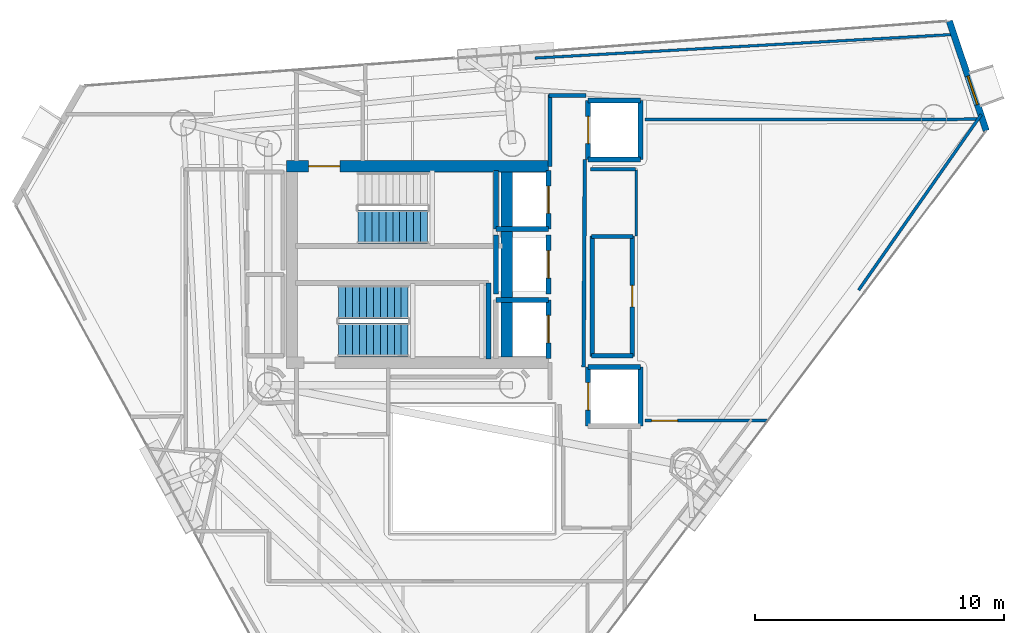
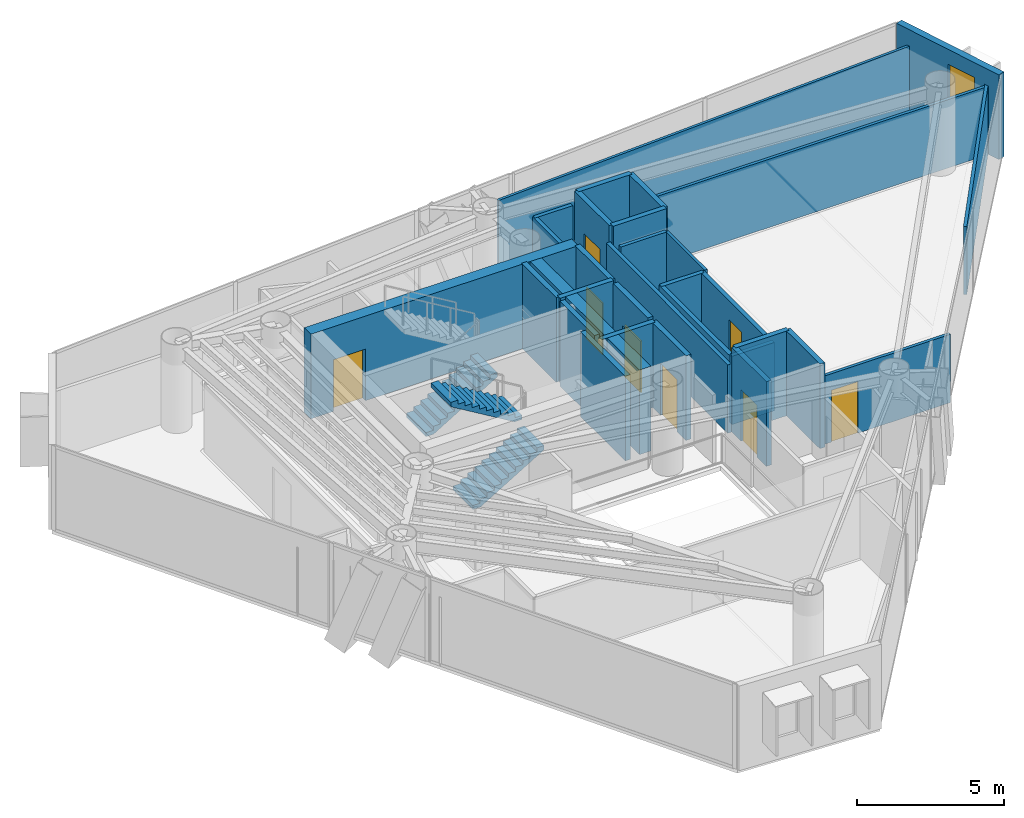
# One storey, part 15 of 19: 31 walls, 8 doors, 3 stair flights, 1 window, 9 openings, 2 elements without a shape of their own.
"""IFC4 building model written with IfcOpenShell, lengths in metres."""

from ifc_helpers import new_model, si_unit, direction, frame, frame_2d, origin, place, context, subcontext, project, spatial, polyline, rectangle, outline, extrude, material, layer, layer_set, type_object, element, fill, aggregate, save


model = new_model("IFC4")

# Units and contexts
model_context = context("Model", 3, precision=1e-05, world=origin(), true_north=direction((0.0, 1.0)))
body_context = subcontext(model_context, "Body", "Model", "MODEL_VIEW")
ifc_project = project(units=[si_unit("LENGTHUNIT", "METRE"), si_unit("AREAUNIT", "SQUARE_METRE"), si_unit("VOLUMEUNIT", "CUBIC_METRE"), si_unit("PLANEANGLEUNIT", "RADIAN"), si_unit("MASSUNIT", "GRAM", prefix="KILO")], contexts=[model_context])

# Site, building, storey
site_placement = place(None, origin())
site = spatial("IfcSite", under=ifc_project, at=site_placement, CompositionType="ELEMENT")
building_placement = place(site_placement, origin())
building = spatial("IfcBuilding", under=site, at=building_placement, Name="Qianvela Tower", CompositionType="ELEMENT")
storey_placement = place(building_placement, frame((0.0, 0.0, 268.60009765625)))
storey = spatial("IfcBuildingStorey", under=building, at=storey_placement, Name="L69", CompositionType="ELEMENT", Elevation=268.60009765625)

# Wall, opening, window
ifc_material_1 = material(Name="Terracotta Cladding on Concrete C40", Category="masonry")
ifc_layer_1 = layer(ifc_material_1, 0.260009765625)
ifc_layer_set_1 = layer_set([ifc_layer_1], Name="Terracotta Cladding on Concrete C40")
wall_type_1 = type_object("IfcWallType", Name="TERRACOTTA-WALL-260", PredefinedType="SOLIDWALL", material=ifc_layer_set_1)
wall_1_placement = place(storey_placement, frame((57.434814453125, 34.070068359375, 0.0), z_axis=(0.0, 0.0, 1.0), x_axis=(-0.319235252436, 0.947675500159, 0.0)))
wall_1 = element("IfcWall", 1, at=wall_1_placement, inside=storey, type_object=wall_type_1, Name="L69 Terracotta Chamfer Facet Wall 1", PredefinedType="SOLIDWALL", context=body_context, shape_type="SweptSolid", body=[
    extrude(rectangle(XDim=4.64892578125, YDim=0.260009765625, at=frame_2d((2.324462890625, 0.0))), origin(), (0.0, 0.0, 1.0), 3.52001953125),
])
opening_1_placement = place(wall_1_placement, frame((1.11474609375, 0.0, 0.89990234375)))
opening_1 = element("IfcOpeningElement", 2, at=opening_1_placement, cuts=wall_1, Name="Opening W-03", PredefinedType="OPENING", context=body_context, shape_type="SweptSolid", body=[
    extrude(rectangle(XDim=1.199951171875, YDim=2.0, at=frame_2d((0.60009765625, 1.0))), frame((0.0, 0.139892578125, 0.0), z_axis=(0.0, -1.0, 0.0), x_axis=(1.0, 0.0, 0.0)), (0.0, 0.0, 1.0), 0.280029296875),
])
ifc_material_2 = material(Name="Thermally Broken Aluminium and Low-E Glass", Category="aluminium")
window_type = type_object("IfcWindowType", Name="WIN-TC-1200x2000", PartitioningType="SINGLE_PANEL", PredefinedType="WINDOW", material=ifc_material_2)
window_placement = place(opening_1_placement, origin())
window = element("IfcWindow", 3, at=window_placement, inside=storey, type_object=window_type, Name="L69 Chamfer Facet Window 1.1", OverallHeight=2.0, OverallWidth=1.199951171875, PartitioningType="SINGLE_PANEL", PredefinedType="WINDOW", context=body_context, shape_type="SweptSolid", body=[
    extrude(rectangle(XDim=1.199951171875, YDim=2.0, at=frame_2d((0.60009765625, 1.0))), frame((0.0, 0.030029296875, 0.0), z_axis=(0.0, -1.0, 0.0), x_axis=(1.0, 0.0, 0.0)), (0.0, 0.0, 1.0), 0.06005859375),
])
fill(opening_1, window)

# Wall, opening, door
ifc_material_3 = material(Name="Concrete C50", Category="concrete")
ifc_layer_2 = layer(ifc_material_3, 0.449951171875)
ifc_layer_set_2 = layer_set([ifc_layer_2], Name="Concrete C50")
wall_type_2 = type_object("IfcWallType", Name="WT-CORE-450", PredefinedType="SHEAR", material=ifc_layer_set_2)
wall_2_placement = place(storey_placement, frame((29.330078125, 32.64501953125, 0.0), z_axis=(0.0, 0.0, 1.0), x_axis=(1.0, 0.0, 0.0)))
wall_2 = element("IfcWall", 4, at=wall_2_placement, inside=storey, type_object=wall_type_2, Name="L69 North Core Shear Wall", PredefinedType="SHEAR", context=body_context, shape_type="SweptSolid", body=[
    extrude(rectangle(XDim=10.52001953125, YDim=0.449951171875, at=frame_2d((5.260009765625, 0.0))), origin(), (0.0, 0.0, 1.0), 3.52001953125),
])
opening_2_placement = place(wall_2_placement, frame((0.89501953125, 0.0, 0.0)))
opening_2 = element("IfcOpeningElement", 5, at=opening_2_placement, cuts=wall_2, Name="Opening D-ST1", PredefinedType="OPENING", context=body_context, shape_type="SweptSolid", body=[
    extrude(rectangle(XDim=1.25, YDim=2.14990234375, at=frame_2d((0.625, 1.074951171875))), frame((0.0, 0.23486328125, 0.0), z_axis=(0.0, -1.0, 0.0), x_axis=(1.0, 0.0, 0.0)), (0.0, 0.0, 1.0), 0.469970703125),
])
ifc_material_4 = material(Name="Galvanised Fire Steel Q355B", Category="steel")
door_type_1 = type_object("IfcDoorType", Name="DT-STAIR-FD90", OperationType="NOTDEFINED", PredefinedType="DOOR", material=ifc_material_4)
door_1_placement = place(opening_2_placement, origin())
door_1 = element("IfcDoor", 6, at=door_1_placement, inside=storey, type_object=door_type_1, Name="L69 Stair ST-1 Exit Door", OperationType="SINGLE_SWING_RIGHT", OverallHeight=2.14990234375, OverallWidth=1.25, PredefinedType="DOOR", context=body_context, shape_type="SweptSolid", body=[
    extrude(rectangle(XDim=1.25, YDim=2.14990234375, at=frame_2d((0.625, 1.074951171875))), frame((0.0, 0.02490234375, 0.0), z_axis=(0.0, -1.0, 0.0), x_axis=(1.0, 0.0, 0.0)), (0.0, 0.0, 1.0), 0.050048828125),
])
fill(opening_2, door_1)

# Walls
wall_3_placement = place(storey_placement, frame((38.179931640625, 24.97998046875, 0.0), z_axis=(0.0, 0.0, 1.0), x_axis=(0.0, 1.0, 0.0)))
element("IfcWall", 7, at=wall_3_placement, inside=storey, type_object=wall_type_2, Name="L69 East Spine Core Shear Wall", PredefinedType="SHEAR", context=body_context, shape_type="SweptSolid", body=[
    extrude(rectangle(XDim=7.43994140625, YDim=0.449951171875, at=frame_2d((3.719970703125, 0.0))), origin(), (0.0, 0.0, 1.0), 3.52001953125),
])
ifc_material_5 = material(Name="Fire-Rated Acoustic Gypsum Board")
ifc_layer_3 = layer(ifc_material_5, 0.14990234375)
ifc_layer_set_3 = layer_set([ifc_layer_3], Name="Fire-Rated Acoustic Gypsum Board")
wall_type_3 = type_object("IfcWallType", Name="WT-CORR-150", PredefinedType="PARTITIONING", material=ifc_layer_set_3)
wall_4_placement = place(storey_placement, frame((39.910888671875, 32.639892578125, 0.0), z_axis=(0.0, 0.0, 1.0), x_axis=(0.0, 1.0, 0.0)))
element("IfcWall", 8, at=wall_4_placement, inside=storey, type_object=wall_type_3, Name="L69 Partition 12", PredefinedType="PARTITIONING", context=body_context, shape_type="SweptSolid", body=[
    extrude(rectangle(XDim=2.880126953125, YDim=0.14990234375, at=frame_2d((1.43994140625, 0.0))), origin(), (0.0, 0.0, 1.0), 2.83984375),
])
wall_5_placement = place(storey_placement, frame((39.8798828125, 35.489013671875, 0.0), z_axis=(0.0, 0.0, 1.0), x_axis=(1.0, 0.0, 0.0)))
element("IfcWall", 9, at=wall_5_placement, inside=storey, type_object=wall_type_3, Name="L69 Partition 13", PredefinedType="PARTITIONING", context=body_context, shape_type="SweptSolid", body=[
    extrude(rectangle(XDim=1.480224609375, YDim=0.14990234375, at=frame_2d((0.740234375, 0.0))), origin(), (0.0, 0.0, 1.0), 2.83984375),
])
wall_6_placement = place(storey_placement, frame((41.3134765625, 32.919921875, 0.0), z_axis=(0.0, 0.0, 1.0), x_axis=(-0.005942518022, -0.999982343084, 0.0)))
element("IfcWall", 10, at=wall_6_placement, inside=storey, type_object=wall_type_3, Name="L69 Partition 14 seg 2", PredefinedType="PARTITIONING", context=body_context, shape_type="SweptSolid", body=[
    extrude(rectangle(XDim=8.340087890625, YDim=0.14990234375, at=frame_2d((4.169921875, 0.0))), origin(), (0.0, 0.0, 1.0), 2.83984375),
])
ifc_material_6 = material(Name="Lightweight Gypsum Room Partition")
ifc_layer_4 = layer(ifc_material_6, 0.10498046875)
ifc_layer_set_4 = layer_set([ifc_layer_4], Name="Lightweight Gypsum Room Partition")
wall_type_4 = type_object("IfcWallType", Name="WT-PART-105", PredefinedType="PARTITIONING", material=ifc_layer_set_4)
wall_7_placement = place(storey_placement, frame((39.3134765625, 36.988037109375, 0.0), z_axis=(0.0, 0.0, 1.0), x_axis=(0.998410832936, 0.056354313735, 0.0)))
element("IfcWall", 11, at=wall_7_placement, inside=storey, type_object=wall_type_4, Name="L69 Partition 91 seg 2", PredefinedType="PARTITIONING", context=body_context, shape_type="SweptSolid", body=[
    extrude(rectangle(XDim=16.865478515625, YDim=0.10498046875, at=frame_2d((8.4326171875, 0.0))), origin(), (0.0, 0.0, 1.0), 2.83984375),
])
wall_8_placement = place(storey_placement, frame((43.381103515625, 29.85009765625, 0.0), z_axis=(0.0, 0.0, 1.0), x_axis=(0.0, 1.0, 0.0)))
element("IfcWall", 12, at=wall_8_placement, inside=storey, type_object=wall_type_4, Name="L69 Partition 112 seg 2", PredefinedType="PARTITIONING", context=body_context, shape_type="SweptSolid", body=[
    extrude(rectangle(XDim=2.64990234375, YDim=0.10498046875, at=frame_2d((1.324951171875, 0.0))), origin(), (0.0, 0.0, 1.0), 2.83984375),
])

# Wall, opening, door
ifc_material_7 = material(Name="Insulated Gypsum Stud Partition")
ifc_layer_5 = layer(ifc_material_7, 0.1201171875)
ifc_layer_set_5 = layer_set([ifc_layer_5], Name="Insulated Gypsum Stud Partition")
wall_type_5 = type_object("IfcWallType", Name="WT-PART-120", PredefinedType="PARTITIONING", material=ifc_layer_set_5)
wall_9_placement = place(storey_placement, frame((43.719970703125, 22.427001953125, 0.0), z_axis=(0.0, 0.0, 1.0), x_axis=(1.0, 0.0, 0.0)))
wall_9 = element("IfcWall", 13, at=wall_9_placement, inside=storey, type_object=wall_type_5, Name="L69 Partition 78", PredefinedType="PARTITIONING", context=body_context, shape_type="SweptSolid", body=[
    extrude(rectangle(XDim=4.958984375, YDim=0.1201171875, at=frame_2d((2.4794921875, 0.0))), origin(), (0.0, 0.0, 1.0), 2.83984375),
])
opening_3_placement = place(wall_9_placement, frame((0.2744140625, 0.0, 0.0)))
opening_3 = element("IfcOpeningElement", 14, at=opening_3_placement, cuts=wall_9, Name="Opening D-PL1", PredefinedType="OPENING", context=body_context, shape_type="SweptSolid", body=[
    extrude(rectangle(XDim=1.050048828125, YDim=2.14990234375, at=frame_2d((0.52490234375, 1.074951171875))), frame((0.0, 0.070068359375, 0.0), z_axis=(0.0, -1.0, 0.0), x_axis=(1.0, 0.0, 0.0)), (0.0, 0.0, 1.0), 0.14013671875),
])
ifc_material_8 = material(Name="Insulated Steel Fire Door Q355B", Category="steel")
door_type_2 = type_object("IfcDoorType", Name="DT-PLANT-FD90", OperationType="NOTDEFINED", PredefinedType="DOOR", material=ifc_material_8)
door_2_placement = place(opening_3_placement, origin())
door_2 = element("IfcDoor", 15, at=door_2_placement, inside=storey, type_object=door_type_2, Name="L69 Door Media Practice Cinema L69-04 to Maker Craft Workshop L69-02", OperationType="SINGLE_SWING_RIGHT", OverallHeight=2.14990234375, OverallWidth=1.050048828125, PredefinedType="DOOR", context=body_context, shape_type="SweptSolid", body=[
    extrude(rectangle(XDim=1.050048828125, YDim=2.14990234375, at=frame_2d((0.52490234375, 1.074951171875))), frame((0.0, 0.02490234375, 0.0), z_axis=(0.0, -1.0, 0.0), x_axis=(1.0, 0.0, 0.0)), (0.0, 0.0, 1.0), 0.050048828125),
])
fill(opening_3, door_2)

# Walls
wall_10_placement = place(storey_placement, frame((57.299072265625, 34.532470703125, 0.0), z_axis=(0.0, 0.0, 1.0), x_axis=(-0.999998965603, -0.001438330048, 0.0)))
element("IfcWall", 16, at=wall_10_placement, inside=storey, type_object=wall_type_5, Name="L69 Partition 93", PredefinedType="PARTITIONING", context=body_context, shape_type="SweptSolid", body=[
    extrude(rectangle(XDim=13.5791015625, YDim=0.1201171875, at=frame_2d((6.78955078125, 0.0))), origin(), (0.0, 0.0, 1.0), 2.83984375),
])
wall_11_placement = place(storey_placement, frame((57.233642578125, 34.718505859375, 0.0), z_axis=(0.0, 0.0, 1.0), x_axis=(-0.572627410691, -0.819815740594, 0.0)))
element("IfcWall", 17, at=wall_11_placement, inside=storey, type_object=wall_type_5, Name="L69 Partition 117 seg 1", PredefinedType="PARTITIONING", context=body_context, shape_type="SweptSolid", body=[
    extrude(rectangle(XDim=8.5986328125, YDim=0.1201171875, at=frame_2d((4.29931640625, 0.0))), origin(), (0.0, 0.0, 1.0), 2.83984375),
])
ifc_material_9 = material(Name="Sanitary Service Chase Partition")
ifc_layer_6 = layer(ifc_material_9, 0.1650390625)
ifc_layer_set_6 = layer_set([ifc_layer_6], Name="Sanitary Service Chase Partition")
wall_type_6 = type_object("IfcWallType", Name="WT-PLUMB-165", PredefinedType="PLUMBINGWALL", material=ifc_layer_set_6)
wall_12_placement = place(storey_placement, frame((43.25, 25.031005859375, 0.0), z_axis=(0.0, 0.0, 1.0), x_axis=(-1.0, 0.0, 0.0)))
element("IfcWall", 18, at=wall_12_placement, inside=storey, type_object=wall_type_6, Name="L69 Partition 19", PredefinedType="PLUMBINGWALL", context=body_context, shape_type="SweptSolid", body=[
    extrude(rectangle(XDim=1.669921875, YDim=0.1650390625, at=frame_2d((0.8349609375, 0.0))), origin(), (0.0, 0.0, 1.0), 2.83984375),
])
wall_13_placement = place(storey_placement, frame((41.611083984375, 25.0, 0.0), z_axis=(0.0, 0.0, 1.0), x_axis=(0.0, 1.0, 0.0)))
element("IfcWall", 19, at=wall_13_placement, inside=storey, type_object=wall_type_6, Name="L69 Partition 20", PredefinedType="PLUMBINGWALL", context=body_context, shape_type="SweptSolid", body=[
    extrude(rectangle(XDim=4.85009765625, YDim=0.1650390625, at=frame_2d((2.425048828125, 0.0))), origin(), (0.0, 0.0, 1.0), 2.83984375),
])
wall_14_placement = place(storey_placement, frame((41.580078125, 29.819091796875, 0.0), z_axis=(0.0, 0.0, 1.0), x_axis=(1.0, 0.0, 0.0)))
element("IfcWall", 20, at=wall_14_placement, inside=storey, type_object=wall_type_6, Name="L69 Partition 21", PredefinedType="PLUMBINGWALL", context=body_context, shape_type="SweptSolid", body=[
    extrude(rectangle(XDim=1.669921875, YDim=0.1650390625, at=frame_2d((0.8349609375, 0.0))), origin(), (0.0, 0.0, 1.0), 2.83984375),
])

# Wall, opening, door
wall_15_placement = place(storey_placement, frame((43.218994140625, 29.85009765625, 0.0), z_axis=(0.0, 0.0, 1.0), x_axis=(0.0, -1.0, 0.0)))
wall_15 = element("IfcWall", 21, at=wall_15_placement, inside=storey, type_object=wall_type_6, Name="L69 Partition 22", PredefinedType="PLUMBINGWALL", context=body_context, shape_type="SweptSolid", body=[
    extrude(rectangle(XDim=4.85009765625, YDim=0.1650390625, at=frame_2d((2.425048828125, 0.0))), origin(), (0.0, 0.0, 1.0), 2.83984375),
])
opening_4_placement = place(wall_15_placement, frame((1.9951171875, 0.0, 0.0)))
opening_4 = element("IfcOpeningElement", 22, at=opening_4_placement, cuts=wall_15, Name="Opening D-WC1", PredefinedType="OPENING", context=body_context, shape_type="SweptSolid", body=[
    extrude(rectangle(XDim=0.860107421875, YDim=2.050048828125, at=frame_2d((0.43017578125, 1.02490234375))), frame((0.0, 0.092529296875, 0.0), z_axis=(0.0, -1.0, 0.0), x_axis=(1.0, 0.0, 0.0)), (0.0, 0.0, 1.0), 0.18505859375),
])
ifc_material_10 = material(Name="Moisture-Sealed Acoustic Timber Door", Category="wood")
door_type_3 = type_object("IfcDoorType", Name="DT-WC-860", OperationType="NOTDEFINED", PredefinedType="DOOR", material=ifc_material_10)
door_3_placement = place(opening_4_placement, origin())
door_3 = element("IfcDoor", 23, at=door_3_placement, inside=storey, type_object=door_type_3, Name="L69 Door L69 Accessible WC to Media Practice Cinema L69-04", OperationType="SINGLE_SWING_LEFT", OverallHeight=2.050048828125, OverallWidth=0.860107421875, PredefinedType="DOOR", context=body_context, shape_type="SweptSolid", body=[
    extrude(rectangle(XDim=0.860107421875, YDim=2.050048828125, at=frame_2d((0.43017578125, 1.02490234375))), frame((0.0, 0.02490234375, 0.0), z_axis=(0.0, -1.0, 0.0), x_axis=(1.0, 0.0, 0.0)), (0.0, 0.0, 1.0), 0.050048828125),
])
fill(opening_4, door_3)

# Walls
ifc_material_11 = material(Name="Acoustic Double Gypsum Stud Partition")
ifc_layer_7 = layer(ifc_material_11, 0.139892578125)
ifc_layer_set_7 = layer_set([ifc_layer_7], Name="Acoustic Double Gypsum Stud Partition")
wall_type_7 = type_object("IfcWallType", Name="WT-ROOM-140", PredefinedType="PARTITIONING", material=ifc_layer_set_7)
wall_16_placement = place(storey_placement, frame((43.35009765625, 32.531005859375, 0.0), z_axis=(0.0, 0.0, 1.0), x_axis=(-1.0, 0.0, 0.0)))
element("IfcWall", 24, at=wall_16_placement, inside=storey, type_object=wall_type_7, Name="L69 Partition 113", PredefinedType="PARTITIONING", context=body_context, shape_type="SweptSolid", body=[
    extrude(rectangle(XDim=1.80810546875, YDim=0.139892578125, at=frame_2d((0.904052734375, 0.0))), origin(), (0.0, 0.0, 1.0), 2.83984375),
])
ifc_material_12 = material(Name="Concrete C50", Category="concrete")
ifc_layer_8 = layer(ifc_material_12, 0.199951171875)
ifc_layer_set_8 = layer_set([ifc_layer_8], Name="Concrete C50")
wall_type_8 = type_object("IfcWallType", Name="WT-SHAFT-200", PredefinedType="SOLIDWALL", material=ifc_layer_set_8)
wall_17_placement = place(storey_placement, frame((37.449951171875, 24.89990234375, 0.0), z_axis=(0.0, 0.0, 1.0), x_axis=(0.0, 1.0, 0.0)))
element("IfcWall", 25, at=wall_17_placement, inside=storey, type_object=wall_type_8, Name="L69 Stair ST-2 East Wall", PredefinedType="SOLIDWALL", context=body_context, shape_type="SweptSolid", body=[
    extrude(rectangle(XDim=3.06005859375, YDim=0.199951171875, at=frame_2d((1.530029296875, 0.0))), origin(), (0.0, 0.0, 1.0), 3.52001953125),
])

# Wall, opening, door
wall_18_placement = place(storey_placement, frame((39.85009765625, 30.1201171875, 0.0), z_axis=(0.0, 0.0, 1.0), x_axis=(0.0, 1.0, 0.0)))
wall_18 = element("IfcWall", 26, at=wall_18_placement, inside=storey, type_object=wall_type_8, Name="L69 Lift FL-1 E Shaft Wall", PredefinedType="SOLIDWALL", context=body_context, shape_type="SweptSolid", body=[
    extrude(rectangle(XDim=2.35986328125, YDim=0.199951171875, at=frame_2d((1.179931640625, 0.0))), origin(), (0.0, 0.0, 1.0), 3.52001953125),
])
opening_5_placement = place(wall_18_placement, frame((0.6298828125, 0.0, 0.0)))
opening_5 = element("IfcOpeningElement", 27, at=opening_5_placement, cuts=wall_18, Name="Opening LD-01", PredefinedType="OPENING", context=body_context, shape_type="SweptSolid", body=[
    extrude(rectangle(XDim=1.10009765625, YDim=2.14990234375, at=frame_2d((0.550048828125, 1.074951171875))), frame((0.0, 0.10986328125, 0.0), z_axis=(0.0, -1.0, 0.0), x_axis=(1.0, 0.0, 0.0)), (0.0, 0.0, 1.0), 0.219970703125),
])
ifc_material_13 = material(Name="Brushed Stainless Steel Lift Landing Door", Category="steel")
door_type_4 = type_object("IfcDoorType", Name="DT-LIFT-SLIDE-1100", OperationType="SLIDING_TO_LEFT", PredefinedType="DOOR", material=ifc_material_13)
door_4_placement = place(opening_5_placement, origin())
door_4 = element("IfcDoor", 28, at=door_4_placement, inside=storey, type_object=door_type_4, Name="L69 Lift FL-1 Sliding Landing Door", OperationType="SLIDING_TO_LEFT", OverallHeight=2.14990234375, OverallWidth=1.10009765625, PredefinedType="DOOR", context=body_context, shape_type="SweptSolid", body=[
    extrude(rectangle(XDim=1.10009765625, YDim=2.14990234375, at=frame_2d((0.550048828125, 1.074951171875))), frame((0.0, 0.02490234375, 0.0), z_axis=(0.0, -1.0, 0.0), x_axis=(1.0, 0.0, 0.0)), (0.0, 0.0, 1.0), 0.050048828125),
])
fill(opening_5, door_4)

# Walls
wall_19_placement = place(storey_placement, frame((37.75, 30.1201171875, 0.0), z_axis=(0.0, 0.0, 1.0), x_axis=(0.0, 1.0, 0.0)))
element("IfcWall", 29, at=wall_19_placement, inside=storey, type_object=wall_type_8, Name="L69 Lift FL-1 W Shaft Wall", PredefinedType="SOLIDWALL", context=body_context, shape_type="SweptSolid", body=[
    extrude(rectangle(XDim=2.35986328125, YDim=0.199951171875, at=frame_2d((1.179931640625, 0.0))), origin(), (0.0, 0.0, 1.0), 3.52001953125),
])
wall_20_placement = place(storey_placement, frame((37.75, 30.1201171875, 0.0), z_axis=(0.0, 0.0, 1.0), x_axis=(1.0, 0.0, 0.0)))
element("IfcWall", 30, at=wall_20_placement, inside=storey, type_object=wall_type_8, Name="L69 Lift FL-1 S Shaft Wall", PredefinedType="SOLIDWALL", context=body_context, shape_type="SweptSolid", body=[
    extrude(rectangle(XDim=2.10009765625, YDim=0.199951171875, at=frame_2d((1.050048828125, 0.0))), origin(), (0.0, 0.0, 1.0), 3.52001953125),
])

# Wall, opening, door
wall_21_placement = place(storey_placement, frame((39.85009765625, 24.919921875, 0.0), z_axis=(0.0, 0.0, 1.0), x_axis=(0.0, 1.0, 0.0)))
wall_21 = element("IfcWall", 31, at=wall_21_placement, inside=storey, type_object=wall_type_8, Name="L69 Lift FL-2 E Shaft Wall", PredefinedType="SOLIDWALL", context=body_context, shape_type="SweptSolid", body=[
    extrude(rectangle(XDim=2.360107421875, YDim=0.199951171875, at=frame_2d((1.18017578125, 0.0))), origin(), (0.0, 0.0, 1.0), 3.52001953125),
])
opening_6_placement = place(wall_21_placement, frame((0.6298828125, 0.0, 0.0)))
opening_6 = element("IfcOpeningElement", 32, at=opening_6_placement, cuts=wall_21, Name="Opening LD-01", PredefinedType="OPENING", context=body_context, shape_type="SweptSolid", body=[
    extrude(rectangle(XDim=1.10009765625, YDim=2.14990234375, at=frame_2d((0.550048828125, 1.074951171875))), frame((0.0, 0.10986328125, 0.0), z_axis=(0.0, -1.0, 0.0), x_axis=(1.0, 0.0, 0.0)), (0.0, 0.0, 1.0), 0.219970703125),
])
door_5_placement = place(opening_6_placement, origin())
door_5 = element("IfcDoor", 33, at=door_5_placement, inside=storey, type_object=door_type_4, Name="L69 Lift FL-2 Sliding Landing Door", OperationType="SLIDING_TO_LEFT", OverallHeight=2.14990234375, OverallWidth=1.10009765625, PredefinedType="DOOR", context=body_context, shape_type="SweptSolid", body=[
    extrude(rectangle(XDim=1.10009765625, YDim=2.14990234375, at=frame_2d((0.550048828125, 1.074951171875))), frame((0.0, 0.02490234375, 0.0), z_axis=(0.0, -1.0, 0.0), x_axis=(1.0, 0.0, 0.0)), (0.0, 0.0, 1.0), 0.050048828125),
])
fill(opening_6, door_5)

# Wall
wall_22_placement = place(storey_placement, frame((37.75, 27.280029296875, 0.0), z_axis=(0.0, 0.0, 1.0), x_axis=(1.0, 0.0, 0.0)))
element("IfcWall", 34, at=wall_22_placement, inside=storey, type_object=wall_type_8, Name="L69 Lift FL-2 N Shaft Wall", PredefinedType="SOLIDWALL", context=body_context, shape_type="SweptSolid", body=[
    extrude(rectangle(XDim=2.10009765625, YDim=0.199951171875, at=frame_2d((1.050048828125, 0.0))), origin(), (0.0, 0.0, 1.0), 3.52001953125),
])

# Wall, opening, door
wall_23_placement = place(storey_placement, frame((39.85009765625, 27.52001953125, 0.0), z_axis=(0.0, 0.0, 1.0), x_axis=(0.0, 1.0, 0.0)))
wall_23 = element("IfcWall", 35, at=wall_23_placement, inside=storey, type_object=wall_type_8, Name="L69 Lift PL-H1 E Shaft Wall", PredefinedType="SOLIDWALL", context=body_context, shape_type="SweptSolid", body=[
    extrude(rectangle(XDim=2.35986328125, YDim=0.199951171875, at=frame_2d((1.179931640625, 0.0))), origin(), (0.0, 0.0, 1.0), 3.52001953125),
])
opening_7_placement = place(wall_23_placement, frame((0.6298828125, 0.0, 0.0)))
opening_7 = element("IfcOpeningElement", 36, at=opening_7_placement, cuts=wall_23, Name="Opening LD-01", PredefinedType="OPENING", context=body_context, shape_type="SweptSolid", body=[
    extrude(rectangle(XDim=1.10009765625, YDim=2.14990234375, at=frame_2d((0.550048828125, 1.074951171875))), frame((0.0, 0.10986328125, 0.0), z_axis=(0.0, -1.0, 0.0), x_axis=(1.0, 0.0, 0.0)), (0.0, 0.0, 1.0), 0.219970703125),
])
door_6_placement = place(opening_7_placement, origin())
door_6 = element("IfcDoor", 37, at=door_6_placement, inside=storey, type_object=door_type_4, Name="L69 Lift PL-H1 Sliding Landing Door", OperationType="SLIDING_TO_LEFT", OverallHeight=2.14990234375, OverallWidth=1.10009765625, PredefinedType="DOOR", context=body_context, shape_type="SweptSolid", body=[
    extrude(rectangle(XDim=1.10009765625, YDim=2.14990234375, at=frame_2d((0.550048828125, 1.074951171875))), frame((0.0, 0.02490234375, 0.0), z_axis=(0.0, -1.0, 0.0), x_axis=(1.0, 0.0, 0.0)), (0.0, 0.0, 1.0), 0.050048828125),
])
fill(opening_7, door_6)

# Walls
wall_24_placement = place(storey_placement, frame((37.75, 27.52001953125, 0.0), z_axis=(0.0, 0.0, 1.0), x_axis=(0.0, 1.0, 0.0)))
element("IfcWall", 38, at=wall_24_placement, inside=storey, type_object=wall_type_8, Name="L69 Lift PL-H1 W Shaft Wall", PredefinedType="SOLIDWALL", context=body_context, shape_type="SweptSolid", body=[
    extrude(rectangle(XDim=2.35986328125, YDim=0.199951171875, at=frame_2d((1.179931640625, 0.0))), origin(), (0.0, 0.0, 1.0), 3.52001953125),
])
wall_25_placement = place(storey_placement, frame((43.550048828125, 22.219970703125, 0.0), z_axis=(0.0, 0.0, 1.0), x_axis=(0.0, 1.0, 0.0)))
element("IfcWall", 39, at=wall_25_placement, inside=storey, type_object=wall_type_8, Name="L69 Lift PL-H2 E Shaft Wall", PredefinedType="SOLIDWALL", context=body_context, shape_type="SweptSolid", body=[
    extrude(rectangle(XDim=2.360107421875, YDim=0.199951171875, at=frame_2d((1.18017578125, 0.0))), origin(), (0.0, 0.0, 1.0), 3.52001953125),
])

# Wall, opening, door
wall_26_placement = place(storey_placement, frame((41.449951171875, 22.219970703125, 0.0), z_axis=(0.0, 0.0, 1.0), x_axis=(0.0, 1.0, 0.0)))
wall_26 = element("IfcWall", 40, at=wall_26_placement, inside=storey, type_object=wall_type_8, Name="L69 Lift PL-H2 W Shaft Wall", PredefinedType="SOLIDWALL", context=body_context, shape_type="SweptSolid", body=[
    extrude(rectangle(XDim=2.360107421875, YDim=0.199951171875, at=frame_2d((1.18017578125, 0.0))), origin(), (0.0, 0.0, 1.0), 3.52001953125),
])
opening_8_placement = place(wall_26_placement, frame((0.6298828125, 0.0, 0.0)))
opening_8 = element("IfcOpeningElement", 41, at=opening_8_placement, cuts=wall_26, Name="Opening LD-01", PredefinedType="OPENING", context=body_context, shape_type="SweptSolid", body=[
    extrude(rectangle(XDim=1.10009765625, YDim=2.14990234375, at=frame_2d((0.550048828125, 1.074951171875))), frame((0.0, 0.10986328125, 0.0), z_axis=(0.0, -1.0, 0.0), x_axis=(1.0, 0.0, 0.0)), (0.0, 0.0, 1.0), 0.219970703125),
])
door_7_placement = place(opening_8_placement, origin())
door_7 = element("IfcDoor", 42, at=door_7_placement, inside=storey, type_object=door_type_4, Name="L69 Lift PL-H2 Sliding Landing Door", OperationType="SLIDING_TO_LEFT", OverallHeight=2.14990234375, OverallWidth=1.10009765625, PredefinedType="DOOR", context=body_context, shape_type="SweptSolid", body=[
    extrude(rectangle(XDim=1.10009765625, YDim=2.14990234375, at=frame_2d((0.550048828125, 1.074951171875))), frame((0.0, 0.02490234375, 0.0), z_axis=(0.0, -1.0, 0.0), x_axis=(1.0, 0.0, 0.0)), (0.0, 0.0, 1.0), 0.050048828125),
])
fill(opening_8, door_7)

# Walls
wall_27_placement = place(storey_placement, frame((41.449951171875, 24.580078125, 0.0), z_axis=(0.0, 0.0, 1.0), x_axis=(1.0, 0.0, 0.0)))
element("IfcWall", 43, at=wall_27_placement, inside=storey, type_object=wall_type_8, Name="L69 Lift PL-H2 N Shaft Wall", PredefinedType="SOLIDWALL", context=body_context, shape_type="SweptSolid", body=[
    extrude(rectangle(XDim=2.10009765625, YDim=0.199951171875, at=frame_2d((1.050048828125, 0.0))), origin(), (0.0, 0.0, 1.0), 3.52001953125),
])
wall_28_placement = place(storey_placement, frame((43.550048828125, 32.919921875, 0.0), z_axis=(0.0, 0.0, 1.0), x_axis=(0.0, 1.0, 0.0)))
element("IfcWall", 44, at=wall_28_placement, inside=storey, type_object=wall_type_8, Name="L69 Lift PL-H3 E Shaft Wall", PredefinedType="SOLIDWALL", context=body_context, shape_type="SweptSolid", body=[
    extrude(rectangle(XDim=2.360107421875, YDim=0.199951171875, at=frame_2d((1.18017578125, 0.0))), origin(), (0.0, 0.0, 1.0), 3.52001953125),
])

# Wall, opening, door
wall_29_placement = place(storey_placement, frame((41.449951171875, 32.919921875, 0.0), z_axis=(0.0, 0.0, 1.0), x_axis=(0.0, 1.0, 0.0)))
wall_29 = element("IfcWall", 45, at=wall_29_placement, inside=storey, type_object=wall_type_8, Name="L69 Lift PL-H3 W Shaft Wall", PredefinedType="SOLIDWALL", context=body_context, shape_type="SweptSolid", body=[
    extrude(rectangle(XDim=2.360107421875, YDim=0.199951171875, at=frame_2d((1.18017578125, 0.0))), origin(), (0.0, 0.0, 1.0), 3.52001953125),
])
opening_9_placement = place(wall_29_placement, frame((0.6298828125, 0.0, 0.0)))
opening_9 = element("IfcOpeningElement", 46, at=opening_9_placement, cuts=wall_29, Name="Opening LD-01", PredefinedType="OPENING", context=body_context, shape_type="SweptSolid", body=[
    extrude(rectangle(XDim=1.10009765625, YDim=2.14990234375, at=frame_2d((0.550048828125, 1.074951171875))), frame((0.0, 0.10986328125, 0.0), z_axis=(0.0, -1.0, 0.0), x_axis=(1.0, 0.0, 0.0)), (0.0, 0.0, 1.0), 0.219970703125),
])
door_8_placement = place(opening_9_placement, origin())
door_8 = element("IfcDoor", 47, at=door_8_placement, inside=storey, type_object=door_type_4, Name="L69 Lift PL-H3 Sliding Landing Door", OperationType="SLIDING_TO_LEFT", OverallHeight=2.14990234375, OverallWidth=1.10009765625, PredefinedType="DOOR", context=body_context, shape_type="SweptSolid", body=[
    extrude(rectangle(XDim=1.10009765625, YDim=2.14990234375, at=frame_2d((0.550048828125, 1.074951171875))), frame((0.0, 0.02490234375, 0.0), z_axis=(0.0, -1.0, 0.0), x_axis=(1.0, 0.0, 0.0)), (0.0, 0.0, 1.0), 0.050048828125),
])
fill(opening_9, door_8)

# Walls
for number, where, z_axis, x_axis, name in (
    (48, (41.449951171875, 35.280029296875, 0.0), (0.0, 0.0, 1.0), (1.0, 0.0, 0.0), "L69 Lift PL-H3 N Shaft Wall"),
    (49, (41.449951171875, 32.919921875, 0.0), (0.0, 0.0, 1.0), (1.0, 0.0, 0.0), "L69 Lift PL-H3 S Shaft Wall"),
):
    element("IfcWall", number, at=place(storey_placement, frame(where, z_axis=z_axis, x_axis=x_axis)), inside=storey, type_object=wall_type_8, Name=name, PredefinedType="SOLIDWALL", context=body_context, shape_type="SweptSolid", body=[
        extrude(rectangle(XDim=2.10009765625, YDim=0.199951171875, at=frame_2d((1.050048828125, 0.0))), origin(), (0.0, 0.0, 1.0), 3.52001953125),
    ])

# Stair, stair flight
ifc_material_14 = material(Name="Concrete C40", Category="concrete")
stair_type = type_object("IfcStairType", Name="ST-DOGLEG-1350-R168-N22", PredefinedType="HALF_TURN_STAIR", material=ifc_material_14)
stair_1_placement = place(storey_placement, origin())
stair_1 = element("IfcStair", 50, at=stair_1_placement, inside=storey, type_object=stair_type, Name="L69 Smoke-Proof Core Stair ST-1", PredefinedType="HALF_TURN_STAIR")
ifc_material_15 = material(Name="Concrete C40", Category="concrete")
stair_flight_type = type_object("IfcStairFlightType", Name="STF-STRAIGHT-R168-P11", PredefinedType="STRAIGHT", material=ifc_material_15)
stair_flight_1_placement = place(storey_placement, frame((32.199951171875, 30.215087890625, 0.0), z_axis=(0.0, 0.0, 1.0), x_axis=(1.0, 0.0, 0.0)))
stair_flight_1 = element("IfcStairFlight", 51, at=stair_flight_1_placement, type_object=stair_flight_type, Name="ST-1 flight 1", NumberOfRisers=11, NumberOfTreads=10, PredefinedType="STRAIGHT", RiserHeight=0.168181818, TreadLength=0.28, context=body_context, shape_type="SweptSolid", body=[
    extrude(outline(polyline([(0.0, 0.0), (0.0, 0.168212890625), (0.280029296875, 0.168212890625), (0.280029296875, 0.33642578125), (0.56005859375, 0.33642578125), (0.56005859375, 0.504638671875), (0.840087890625, 0.504638671875), (0.840087890625, 0.672607421875), (1.1201171875, 0.672607421875), (1.1201171875, 0.8408203125), (1.39990234375, 0.8408203125), (1.39990234375, 1.009033203125), (1.679931640625, 1.009033203125), (1.679931640625, 1.17724609375), (1.9599609375, 1.17724609375), (1.9599609375, 1.345458984375), (2.239990234375, 1.345458984375), (2.239990234375, 1.513671875), (2.52001953125, 1.513671875), (2.52001953125, 1.681884765625), (2.800048828125, 1.681884765625), (2.800048828125, 1.85009765625), (2.800048828125, 1.5068359375), (0.291015625, 0.0), (0.0, 0.0)])), frame((0.0, 0.675048828125, 0.0), z_axis=(0.0, -1.0, 0.0), x_axis=(1.0, 0.0, 0.0)), (0.0, 0.0, 1.0), 1.35009765625),
])
aggregate(stair_1, [stair_flight_1])

# Stair, stair flights
stair_2_placement = place(storey_placement, origin())
stair_2 = element("IfcStair", 52, at=stair_2_placement, inside=storey, type_object=stair_type, Name="L69 Smoke-Proof Core Stair ST-2", PredefinedType="HALF_TURN_STAIR")
stair_flight_2_placement = place(storey_placement, frame((31.419921875, 25.675048828125, 0.0), z_axis=(0.0, 0.0, 1.0), x_axis=(1.0, 0.0, 0.0)))
stair_flight_2 = element("IfcStairFlight", 53, at=stair_flight_2_placement, type_object=stair_flight_type, Name="ST-2 flight 1", NumberOfRisers=11, NumberOfTreads=10, PredefinedType="STRAIGHT", RiserHeight=0.168181818, TreadLength=0.28, context=body_context, shape_type="SweptSolid", body=[
    extrude(outline(polyline([(0.0, 0.0), (0.0, 0.168212890625), (0.280029296875, 0.168212890625), (0.280029296875, 0.33642578125), (0.56005859375, 0.33642578125), (0.56005859375, 0.504638671875), (0.840087890625, 0.504638671875), (0.840087890625, 0.672607421875), (1.1201171875, 0.672607421875), (1.1201171875, 0.8408203125), (1.39990234375, 0.8408203125), (1.39990234375, 1.009033203125), (1.679931640625, 1.009033203125), (1.679931640625, 1.17724609375), (1.9599609375, 1.17724609375), (1.9599609375, 1.345458984375), (2.239990234375, 1.345458984375), (2.239990234375, 1.513671875), (2.52001953125, 1.513671875), (2.52001953125, 1.681884765625), (2.800048828125, 1.681884765625), (2.800048828125, 1.85009765625), (2.800048828125, 1.5068359375), (0.291015625, 0.0), (0.0, 0.0)])), frame((0.0, 0.675048828125, 0.0), z_axis=(0.0, -1.0, 0.0), x_axis=(1.0, 0.0, 0.0)), (0.0, 0.0, 1.0), 1.35009765625),
])
stair_flight_3_placement = place(storey_placement, frame((34.219970703125, 27.18505859375, 1.849853515625), z_axis=(0.0, 0.0, 1.0), x_axis=(-1.0, 0.0, 0.0)))
stair_flight_3 = element("IfcStairFlight", 54, at=stair_flight_3_placement, type_object=stair_flight_type, Name="ST-2 flight 2", NumberOfRisers=11, NumberOfTreads=10, PredefinedType="STRAIGHT", RiserHeight=0.168181818, TreadLength=0.28, context=body_context, shape_type="SweptSolid", body=[
    extrude(outline(polyline([(0.0, 0.0), (0.0, 0.168212890625), (0.280029296875, 0.168212890625), (0.280029296875, 0.33642578125), (0.56005859375, 0.33642578125), (0.56005859375, 0.504638671875), (0.840087890625, 0.504638671875), (0.840087890625, 0.672607421875), (1.1201171875, 0.672607421875), (1.1201171875, 0.8408203125), (1.39990234375, 0.8408203125), (1.39990234375, 1.009033203125), (1.679931640625, 1.009033203125), (1.679931640625, 1.17724609375), (1.9599609375, 1.17724609375), (1.9599609375, 1.345458984375), (2.239990234375, 1.345458984375), (2.239990234375, 1.513671875), (2.52001953125, 1.513671875), (2.52001953125, 1.681884765625), (2.800048828125, 1.681884765625), (2.800048828125, 1.85009765625), (2.800048828125, 1.5068359375), (0.291015625, 0.0), (0.0, 0.0)])), frame((0.0, 0.675048828125, 0.0), z_axis=(0.0, -1.0, 0.0), x_axis=(1.0, 0.0, 0.0)), (0.0, 0.0, 1.0), 1.35009765625),
])
aggregate(stair_2, [stair_flight_2, stair_flight_3])

save(model, "model.ifc")
